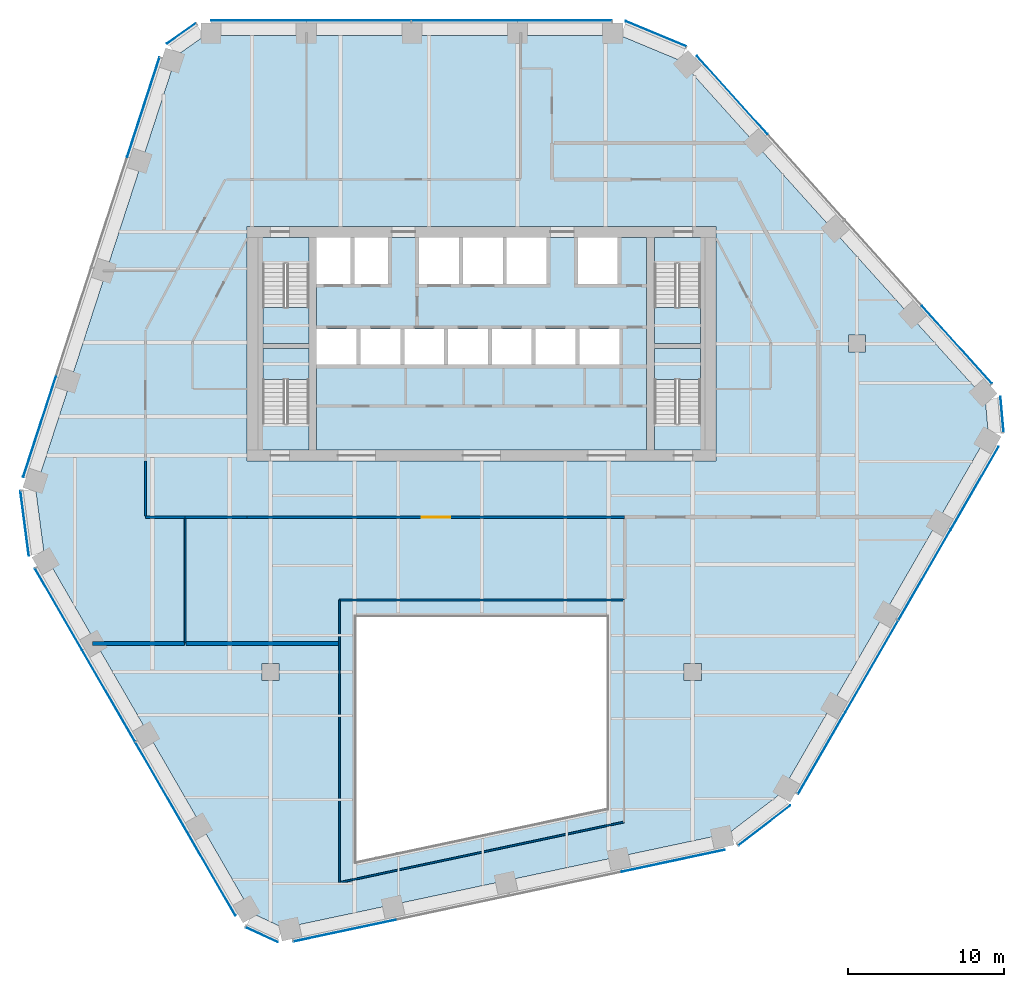
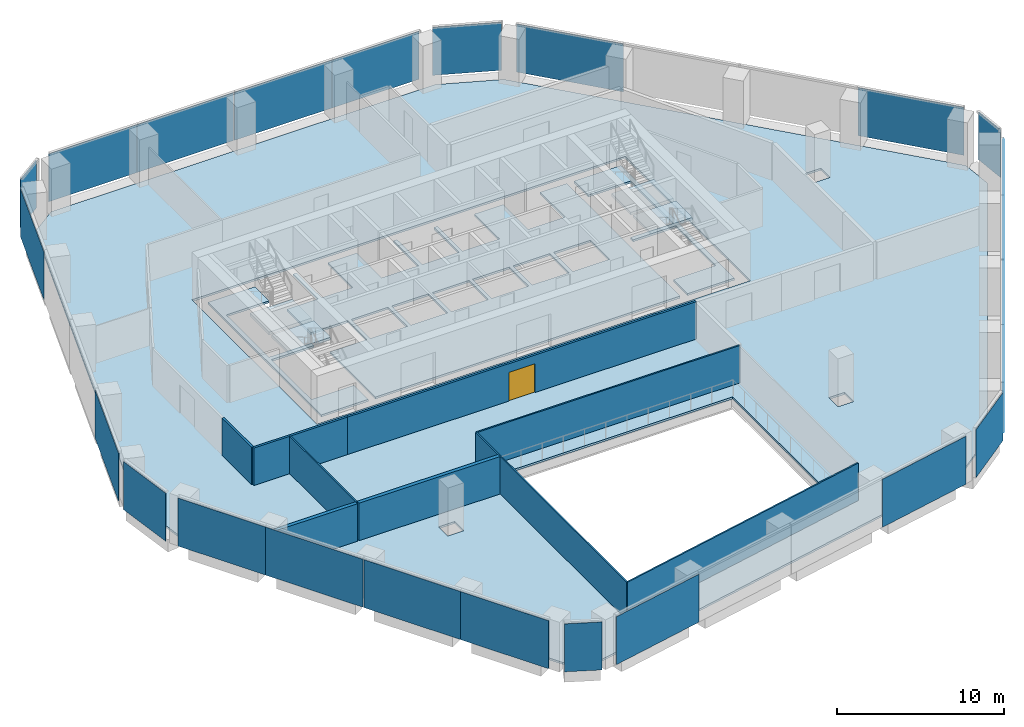
# One storey, part 10 of 16: 24 plates, 10 walls, 8 slabs, 1 door, 1 opening, 16 elements without a shape of their own.
"""IFC4 building model written with IfcOpenShell, lengths in metres."""

from ifc_helpers import new_model, si_unit, direction, frame, frame_2d, origin, origin_2d, place, context, subcontext, project, spatial, polyline, rectangle, outline, extrude, material, layer, layer_set, type_object, element, fill, aggregate, save


model = new_model("IFC4")

# Units and contexts
model_context = context("Model", 3, precision=1e-05, world=origin(), true_north=direction((0.0, 1.0)))
body_context = subcontext(model_context, "Body", "Model", "MODEL_VIEW")
ifc_project = project(units=[si_unit("LENGTHUNIT", "METRE"), si_unit("AREAUNIT", "SQUARE_METRE"), si_unit("VOLUMEUNIT", "CUBIC_METRE"), si_unit("PLANEANGLEUNIT", "RADIAN"), si_unit("MASSUNIT", "GRAM", prefix="KILO")], contexts=[model_context])

# Site, building, storey
site_placement = place(None, origin())
site = spatial("IfcSite", under=ifc_project, at=site_placement, CompositionType="ELEMENT")
building_placement = place(site_placement, origin())
building = spatial("IfcBuilding", under=site, at=building_placement, Name="Isthmus Gate Tower", CompositionType="ELEMENT")
storey_placement = place(building_placement, frame((0.0, 0.0, 178.10009765625)))
storey = spatial("IfcBuildingStorey", under=building, at=storey_placement, Name="L44", CompositionType="ELEMENT", Elevation=178.10009765625)

# Slabs
ifc_material_1 = material(Name="Concrete f'c 40 MPa", Category="concrete")
ifc_layer_1 = layer(ifc_material_1, 0.14990234375)
ifc_layer_set_1 = layer_set([ifc_layer_1], Name="COMPOSITE FLOOR SLAB 150")
slab_type_1 = type_object("IfcSlabType", Name="COMPOSITE FLOOR SLAB 150", PredefinedType="FLOOR", material=ifc_layer_set_1)
slab_1_placement = place(storey_placement, frame((0.0, 0.0, -0.150146484375)))
element("IfcSlab", 1, at=slab_1_placement, inside=storey, type_object=slab_type_1, Name="str-slab-L44-1", PredefinedType="FLOOR", context=body_context, shape_type="SweptSolid", body=[
    extrude(outline(polyline([(12.72802734375, 25.599365234375), (32.21044921875, 3.9619140625), (32.410400390625, 1.736083984375), (19.116455078125, -21.289306640625), (15.8056640625, -23.822509765625), (-12.674072265625, -29.876220703125), (-14.701416015625, -28.936279296875), (-27.995361328125, -5.91064453125), (-28.53369140625, -1.77685546875), (-19.536376953125, 25.9140625), (-17.708740234375, 27.199951171875), (8.87890625, 27.199951171875), (12.72802734375, 25.599365234375)]), holes=[polyline([(-8.0, -10.0), (-8.0, -25.611083984375), (8.0, -22.210205078125), (8.0, -10.0), (-8.0, -10.0)]), polyline([(-14.050048828125, -12.949951171875), (-14.050048828125, -14.050048828125), (-12.949951171875, -14.050048828125), (-12.949951171875, -12.949951171875), (-14.050048828125, -12.949951171875)]), polyline([(14.050048828125, -12.949951171875), (12.949951171875, -12.949951171875), (12.949951171875, -14.050048828125), (14.050048828125, -14.050048828125), (14.050048828125, -12.949951171875)]), polyline([(-15.0, 15.0), (-15.0, 0.0), (15.0, 0.0), (15.0, 15.0), (-15.0, 15.0)]), polyline([(24.550048828125, 6.949951171875), (24.550048828125, 8.050048828125), (23.449951171875, 8.050048828125), (23.449951171875, 6.949951171875), (24.550048828125, 6.949951171875)])]), origin(), (0.0, 0.0, 1.0), 0.150146484375),
])
ifc_material_2 = material(Name="Concrete f'c 40 MPa", Category="concrete")
ifc_layer_2 = layer(ifc_material_2, 0.14990234375)
ifc_layer_set_2 = layer_set([ifc_layer_2], Name="CORE FLOOR SLAB 150")
slab_type_2 = type_object("IfcSlabType", Name="CORE FLOOR SLAB 150", PredefinedType="FLOOR", material=ifc_layer_set_2)
slab_2_placement = place(storey_placement, frame((0.0, 0.0, -0.150146484375)))
element("IfcSlab", 2, at=slab_2_placement, inside=storey, type_object=slab_type_2, Name="L44 core floor", PredefinedType="FLOOR", context=body_context, shape_type="SweptSolid", body=[
    extrude(outline(polyline([(-11.050048828125, 0.699951171875), (-11.050048828125, 2.402099609375), (-14.0, 2.402099609375), (-14.0, 7.199951171875), (-11.050048828125, 7.199951171875), (-11.050048828125, 7.5), (-14.0, 7.5), (-14.0, 12.597900390625), (-11.050048828125, 12.597900390625), (-11.050048828125, 14.300048828125), (-14.300048828125, 14.300048828125), (-14.300048828125, 0.699951171875), (-11.050048828125, 0.699951171875)])), origin(), (0.0, 0.0, 1.0), 0.150146484375),
])
slab_3_placement = place(storey_placement, frame((0.0, 0.0, -0.150146484375)))
element("IfcSlab", 3, at=slab_3_placement, inside=storey, type_object=slab_type_2, Name="L44 core floor", PredefinedType="FLOOR", context=body_context, shape_type="SweptSolid", body=[
    extrude(outline(polyline([(10.550048828125, 14.300048828125), (8.699951171875, 14.300048828125), (8.699951171875, 11.300048828125), (6.14990234375, 11.300048828125), (6.14990234375, 14.300048828125), (4.14990234375, 14.300048828125), (4.14990234375, 11.300048828125), (1.60009765625, 11.300048828125), (1.60009765625, 14.300048828125), (1.35009765625, 14.300048828125), (1.35009765625, 11.300048828125), (-1.199951171875, 11.300048828125), (-1.199951171875, 14.300048828125), (-1.449951171875, 14.300048828125), (-1.449951171875, 11.300048828125), (-4.0, 11.300048828125), (-4.0, 14.300048828125), (-6.0, 14.300048828125), (-6.0, 11.300048828125), (-8.14990234375, 11.300048828125), (-8.14990234375, 14.300048828125), (-8.39990234375, 14.300048828125), (-8.39990234375, 11.300048828125), (-10.550048828125, 11.300048828125), (-10.550048828125, 8.449951171875), (-8.0, 8.449951171875), (-8.0, 6.14990234375), (-10.550048828125, 6.14990234375), (-10.550048828125, 0.699951171875), (10.550048828125, 0.699951171875), (10.550048828125, 14.300048828125)]), holes=[polyline([(-5.199951171875, 8.449951171875), (-5.199951171875, 6.14990234375), (-7.75, 6.14990234375), (-7.75, 8.449951171875), (-5.199951171875, 8.449951171875)]), polyline([(-2.39990234375, 8.449951171875), (-2.39990234375, 6.14990234375), (-4.949951171875, 6.14990234375), (-4.949951171875, 8.449951171875), (-2.39990234375, 8.449951171875)]), polyline([(0.39990234375, 8.449951171875), (0.39990234375, 6.14990234375), (-2.14990234375, 6.14990234375), (-2.14990234375, 8.449951171875), (0.39990234375, 8.449951171875)]), polyline([(3.199951171875, 8.449951171875), (3.199951171875, 6.14990234375), (0.64990234375, 6.14990234375), (0.64990234375, 8.449951171875), (3.199951171875, 8.449951171875)]), polyline([(6.0, 8.449951171875), (6.0, 6.14990234375), (3.449951171875, 6.14990234375), (3.449951171875, 8.449951171875), (6.0, 8.449951171875)]), polyline([(8.800048828125, 8.449951171875), (8.800048828125, 6.14990234375), (6.25, 6.14990234375), (6.25, 8.449951171875), (8.800048828125, 8.449951171875)])]), origin(), (0.0, 0.0, 1.0), 0.150146484375),
])
slab_4_placement = place(storey_placement, frame((0.0, 0.0, -0.150146484375)))
element("IfcSlab", 4, at=slab_4_placement, inside=storey, type_object=slab_type_2, Name="L44 core floor", PredefinedType="FLOOR", context=body_context, shape_type="SweptSolid", body=[
    extrude(outline(polyline([(11.050048828125, 14.300048828125), (11.050048828125, 12.597900390625), (14.0, 12.597900390625), (14.0, 7.5), (11.050048828125, 7.5), (11.050048828125, 7.199951171875), (14.0, 7.199951171875), (14.0, 2.402099609375), (11.050048828125, 2.402099609375), (11.050048828125, 0.699951171875), (14.300048828125, 0.699951171875), (14.300048828125, 14.300048828125), (11.050048828125, 14.300048828125)])), origin(), (0.0, 0.0, 1.0), 0.150146484375),
])

# Curtain wall, plates
ifc_material_3 = material(Name="Aluminium, pale champagne anodised", Category="aluminium")
ifc_layer_3 = layer(ifc_material_3, 0.199951171875)
ifc_layer_set_3 = layer_set([ifc_layer_3], Name="CW-1 UNITISED CURTAIN WALL 200 DEEP")
curtain_wall_type = type_object("IfcCurtainWallType", Name="CW-1 UNITISED CURTAIN WALL 200 DEEP", PredefinedType="NOTDEFINED", material=ifc_layer_set_3)
curtain_wall_1_placement = place(storey_placement, origin())
curtain_wall_1 = element("IfcCurtainWall", 5, at=curtain_wall_1_placement, inside=storey, type_object=curtain_wall_type, Name="CW-1 N L44", PredefinedType="NOTDEFINED")
ifc_material_4 = material(Name="Laminated low-iron glass, pale blue tint", Category="glass")
ifc_layer_4 = layer(ifc_material_4, 0.035888671875)
ifc_layer_set_4 = layer_set([ifc_layer_4], Name="CW-1 CLEAR GLASS LITE 36")
plate_type = type_object("IfcPlateType", Name="CW-1 CLEAR GLASS LITE 36", PredefinedType="CURTAIN_PANEL", material=ifc_layer_set_4)
plate_1_placement = place(storey_placement, frame((5.30859375, 28.181884765625, 0.0), z_axis=(0.0, 0.0, 1.0), x_axis=(-1.0, 0.0, 0.0)))
plate_1 = element("IfcPlate", 6, at=plate_1_placement, type_object=plate_type, Name="CW-1 glass lite", PredefinedType="CURTAIN_PANEL", context=body_context, shape_type="SweptSolid", body=[
    extrude(rectangle(XDim=6.0400390625, YDim=0.035888671875, at=origin_2d()), origin(), (0.0, 0.0, 1.0), 3.510009765625),
])
plate_2_placement = place(storey_placement, frame((-1.086669921875, 28.181884765625, 0.0), z_axis=(0.0, 0.0, 1.0), x_axis=(-1.0, 0.0, 0.0)))
plate_2 = element("IfcPlate", 7, at=plate_2_placement, type_object=plate_type, Name="CW-1 glass lite", PredefinedType="CURTAIN_PANEL", context=body_context, shape_type="SweptSolid", body=[
    extrude(rectangle(XDim=6.750244140625, YDim=0.035888671875, at=origin_2d()), origin(), (0.0, 0.0, 1.0), 3.510009765625),
])
plate_3_placement = place(storey_placement, frame((-7.86669921875, 28.181884765625, 0.0), z_axis=(0.0, 0.0, 1.0), x_axis=(-1.0, 0.0, 0.0)))
plate_3 = element("IfcPlate", 8, at=plate_3_placement, type_object=plate_type, Name="CW-1 glass lite", PredefinedType="CURTAIN_PANEL", context=body_context, shape_type="SweptSolid", body=[
    extrude(rectangle(XDim=6.690185546875, YDim=0.035888671875, at=origin_2d()), origin(), (0.0, 0.0, 1.0), 3.510009765625),
])
plate_4_placement = place(storey_placement, frame((-14.261962890625, 28.181884765625, 0.0), z_axis=(0.0, 0.0, 1.0), x_axis=(-1.0, 0.0, 0.0)))
plate_4 = element("IfcPlate", 9, at=plate_4_placement, type_object=plate_type, Name="CW-1 glass lite", PredefinedType="CURTAIN_PANEL", context=body_context, shape_type="SweptSolid", body=[
    extrude(rectangle(XDim=6.10009765625, YDim=0.035888671875, at=origin_2d()), origin(), (0.0, 0.0, 1.0), 3.510009765625),
])
aggregate(curtain_wall_1, [plate_1, plate_2, plate_3, plate_4])

# Curtain wall, plate
curtain_wall_2_placement = place(storey_placement, origin())
curtain_wall_2 = element("IfcCurtainWall", 10, at=curtain_wall_2_placement, inside=storey, type_object=curtain_wall_type, Name="CW-1 N-NW L44", PredefinedType="NOTDEFINED")
plate_5_placement = place(storey_placement, frame((-19.2119140625, 27.343017578125, 0.0), z_axis=(0.0, 0.0, 1.0), x_axis=(-0.81785959165, -0.57541783805, 0.0)))
plate_5 = element("IfcPlate", 11, at=plate_5_placement, type_object=plate_type, Name="CW-1 glass lite", PredefinedType="CURTAIN_PANEL", context=body_context, shape_type="SweptSolid", body=[
    extrude(rectangle(XDim=2.258544921875, YDim=0.035888671875, at=origin_2d()), origin(), (0.0, 0.0, 1.0), 3.510009765625),
])
aggregate(curtain_wall_2, [plate_5])

# Curtain wall, plates
curtain_wall_3_placement = place(storey_placement, origin())
curtain_wall_3 = element("IfcCurtainWall", 12, at=curtain_wall_3_placement, inside=storey, type_object=curtain_wall_type, Name="CW-1 NW L44", PredefinedType="NOTDEFINED")
plate_6_placement = place(storey_placement, frame((-21.6396484375, 22.619140625, 0.0), z_axis=(0.0, 0.0, 1.0), x_axis=(-0.309016994375, -0.951056516295, 0.0)))
plate_6 = element("IfcPlate", 13, at=plate_6_placement, type_object=plate_type, Name="CW-1 glass lite", PredefinedType="CURTAIN_PANEL", context=body_context, shape_type="SweptSolid", body=[
    extrude(rectangle(XDim=6.680908203125, YDim=0.035888671875, at=origin_2d()), origin(), (0.0, 0.0, 1.0), 3.510009765625),
])
plate_7_placement = place(storey_placement, frame((-28.281005859375, 2.178466796875, 0.0), z_axis=(0.0, 0.0, 1.0), x_axis=(-0.309016994375, -0.951056516295, 0.0)))
plate_7 = element("IfcPlate", 14, at=plate_7_placement, type_object=plate_type, Name="CW-1 glass lite", PredefinedType="CURTAIN_PANEL", context=body_context, shape_type="SweptSolid", body=[
    extrude(rectangle(XDim=6.74072265625, YDim=0.035888671875, at=origin_2d()), origin(), (0.0, 0.0, 1.0), 3.510009765625),
])
aggregate(curtain_wall_3, [plate_6, plate_7])

# Curtain wall, plate
curtain_wall_4_placement = place(storey_placement, origin())
curtain_wall_4 = element("IfcCurtainWall", 15, at=curtain_wall_4_placement, inside=storey, type_object=curtain_wall_type, Name="CW-1 NW-SW L44", PredefinedType="NOTDEFINED")
plate_8_placement = place(storey_placement, frame((-29.234619140625, -3.9990234375, 0.0), z_axis=(0.0, 0.0, 1.0), x_axis=(0.129164534, -0.991623175988, 0.0)))
plate_8 = element("IfcPlate", 16, at=plate_8_placement, type_object=plate_type, Name="CW-1 glass lite", PredefinedType="CURTAIN_PANEL", context=body_context, shape_type="SweptSolid", body=[
    extrude(rectangle(XDim=4.181396484375, YDim=0.035888671875, at=origin_2d()), origin(), (0.0, 0.0, 1.0), 3.510009765625),
])
aggregate(curtain_wall_4, [plate_8])

# Curtain wall, plates
curtain_wall_5_placement = place(storey_placement, origin())
curtain_wall_5 = element("IfcCurtainWall", 17, at=curtain_wall_5_placement, inside=storey, type_object=curtain_wall_type, Name="CW-1 SW L44", PredefinedType="NOTDEFINED")
plate_9_placement = place(storey_placement, frame((-27.060546875, -9.49365234375, 0.0), z_axis=(0.0, 0.0, 1.0), x_axis=(0.5, -0.866025403784, 0.0)))
plate_9 = element("IfcPlate", 18, at=plate_9_placement, type_object=plate_type, Name="CW-1 glass lite", PredefinedType="CURTAIN_PANEL", context=body_context, shape_type="SweptSolid", body=[
    extrude(rectangle(XDim=6.0400390625, YDim=0.035888671875, at=origin_2d()), origin(), (0.0, 0.0, 1.0), 3.510009765625),
])
plate_10_placement = place(storey_placement, frame((-23.863037109375, -15.031982421875, 0.0), z_axis=(0.0, 0.0, 1.0), x_axis=(0.5, -0.866025403784, 0.0)))
plate_10 = element("IfcPlate", 19, at=plate_10_placement, type_object=plate_type, Name="CW-1 glass lite", PredefinedType="CURTAIN_PANEL", context=body_context, shape_type="SweptSolid", body=[
    extrude(rectangle(XDim=6.750244140625, YDim=0.035888671875, at=origin_2d()), origin(), (0.0, 0.0, 1.0), 3.510009765625),
])
plate_11_placement = place(storey_placement, frame((-20.472900390625, -20.90380859375, 0.0), z_axis=(0.0, 0.0, 1.0), x_axis=(0.5, -0.866025403784, 0.0)))
plate_11 = element("IfcPlate", 20, at=plate_11_placement, type_object=plate_type, Name="CW-1 glass lite", PredefinedType="CURTAIN_PANEL", context=body_context, shape_type="SweptSolid", body=[
    extrude(rectangle(XDim=6.690185546875, YDim=0.035888671875, at=origin_2d()), origin(), (0.0, 0.0, 1.0), 3.510009765625),
])
plate_12_placement = place(storey_placement, frame((-17.275390625, -26.442138671875, 0.0), z_axis=(0.0, 0.0, 1.0), x_axis=(0.5, -0.866025403784, 0.0)))
plate_12 = element("IfcPlate", 21, at=plate_12_placement, type_object=plate_type, Name="CW-1 glass lite", PredefinedType="CURTAIN_PANEL", context=body_context, shape_type="SweptSolid", body=[
    extrude(rectangle(XDim=6.10009765625, YDim=0.035888671875, at=origin_2d()), origin(), (0.0, 0.0, 1.0), 3.510009765625),
])
aggregate(curtain_wall_5, [plate_9, plate_10, plate_11, plate_12])

# Curtain wall, plate
curtain_wall_6_placement = place(storey_placement, origin())
curtain_wall_6 = element("IfcCurtainWall", 22, at=curtain_wall_6_placement, inside=storey, type_object=curtain_wall_type, Name="CW-1 SW-S L44", PredefinedType="NOTDEFINED")
plate_13_placement = place(storey_placement, frame((-14.07373046875, -30.3095703125, 0.0), z_axis=(0.0, 0.0, 1.0), x_axis=(0.907256261367, -0.420578264073, 0.0)))
plate_13 = element("IfcPlate", 23, at=plate_13_placement, type_object=plate_type, Name="CW-1 glass lite", PredefinedType="CURTAIN_PANEL", context=body_context, shape_type="SweptSolid", body=[
    extrude(rectangle(XDim=2.258544921875, YDim=0.035888671875, at=origin_2d()), origin(), (0.0, 0.0, 1.0), 3.510009765625),
])
aggregate(curtain_wall_6, [plate_13])

# Curtain wall, plates
curtain_wall_7_placement = place(storey_placement, origin())
curtain_wall_7 = element("IfcCurtainWall", 24, at=curtain_wall_7_placement, inside=storey, type_object=curtain_wall_type, Name="CW-1 S L44", PredefinedType="NOTDEFINED")
plate_14_placement = place(storey_placement, frame((-8.768798828125, -30.050048828125, 0.0), z_axis=(0.0, 0.0, 1.0), x_axis=(0.978147600734, 0.207911690818, 0.0)))
plate_14 = element("IfcPlate", 25, at=plate_14_placement, type_object=plate_type, Name="CW-1 glass lite", PredefinedType="CURTAIN_PANEL", context=body_context, shape_type="SweptSolid", body=[
    extrude(rectangle(XDim=6.680908203125, YDim=0.035888671875, at=origin_2d()), origin(), (0.0, 0.0, 1.0), 3.510009765625),
])
plate_15_placement = place(storey_placement, frame((12.25390625, -25.58154296875, 0.0), z_axis=(0.0, 0.0, 1.0), x_axis=(0.978147600734, 0.207911690818, 0.0)))
plate_15 = element("IfcPlate", 26, at=plate_15_placement, type_object=plate_type, Name="CW-1 glass lite", PredefinedType="CURTAIN_PANEL", context=body_context, shape_type="SweptSolid", body=[
    extrude(rectangle(XDim=6.74072265625, YDim=0.035888671875, at=origin_2d()), origin(), (0.0, 0.0, 1.0), 3.510009765625),
])
aggregate(curtain_wall_7, [plate_14, plate_15])

# Curtain wall, plate
curtain_wall_8_placement = place(storey_placement, origin())
curtain_wall_8 = element("IfcCurtainWall", 27, at=curtain_wall_8_placement, inside=storey, type_object=curtain_wall_type, Name="CW-1 S-SE L44", PredefinedType="NOTDEFINED")
plate_16_placement = place(storey_placement, frame((18.08056640625, -23.318359375, 0.0), z_axis=(0.0, 0.0, 1.0), x_axis=(0.794188594387, 0.607671355706, 0.0)))
plate_16 = element("IfcPlate", 28, at=plate_16_placement, type_object=plate_type, Name="CW-1 glass lite", PredefinedType="CURTAIN_PANEL", context=body_context, shape_type="SweptSolid", body=[
    extrude(rectangle(XDim=4.181396484375, YDim=0.035888671875, at=origin_2d()), origin(), (0.0, 0.0, 1.0), 3.510009765625),
])
aggregate(curtain_wall_8, [plate_16])

# Curtain wall, plates
curtain_wall_9_placement = place(storey_placement, origin())
curtain_wall_9 = element("IfcCurtainWall", 29, at=curtain_wall_9_placement, inside=storey, type_object=curtain_wall_type, Name="CW-1 SE L44", PredefinedType="NOTDEFINED")
plate_17_placement = place(storey_placement, frame((21.752197265625, -18.688232421875, 0.0), z_axis=(0.0, 0.0, 1.0), x_axis=(0.5, 0.866025403784, 0.0)))
plate_17 = element("IfcPlate", 30, at=plate_17_placement, type_object=plate_type, Name="CW-1 glass lite", PredefinedType="CURTAIN_PANEL", context=body_context, shape_type="SweptSolid", body=[
    extrude(rectangle(XDim=6.0400390625, YDim=0.035888671875, at=origin_2d()), origin(), (0.0, 0.0, 1.0), 3.510009765625),
])
plate_18_placement = place(storey_placement, frame((24.94970703125, -13.14990234375, 0.0), z_axis=(0.0, 0.0, 1.0), x_axis=(0.5, 0.866025403784, 0.0)))
plate_18 = element("IfcPlate", 31, at=plate_18_placement, type_object=plate_type, Name="CW-1 glass lite", PredefinedType="CURTAIN_PANEL", context=body_context, shape_type="SweptSolid", body=[
    extrude(rectangle(XDim=6.750244140625, YDim=0.035888671875, at=origin_2d()), origin(), (0.0, 0.0, 1.0), 3.510009765625),
])
plate_19_placement = place(storey_placement, frame((28.339599609375, -7.278076171875, 0.0), z_axis=(0.0, 0.0, 1.0), x_axis=(0.5, 0.866025403784, 0.0)))
plate_19 = element("IfcPlate", 32, at=plate_19_placement, type_object=plate_type, Name="CW-1 glass lite", PredefinedType="CURTAIN_PANEL", context=body_context, shape_type="SweptSolid", body=[
    extrude(rectangle(XDim=6.690185546875, YDim=0.035888671875, at=origin_2d()), origin(), (0.0, 0.0, 1.0), 3.510009765625),
])
plate_20_placement = place(storey_placement, frame((31.537353515625, -1.73974609375, 0.0), z_axis=(0.0, 0.0, 1.0), x_axis=(0.5, 0.866025403784, 0.0)))
plate_20 = element("IfcPlate", 33, at=plate_20_placement, type_object=plate_type, Name="CW-1 glass lite", PredefinedType="CURTAIN_PANEL", context=body_context, shape_type="SweptSolid", body=[
    extrude(rectangle(XDim=6.10009765625, YDim=0.035888671875, at=origin_2d()), origin(), (0.0, 0.0, 1.0), 3.510009765625),
])
aggregate(curtain_wall_9, [plate_17, plate_18, plate_19, plate_20])

# Curtain wall, plate
curtain_wall_10_placement = place(storey_placement, origin())
curtain_wall_10 = element("IfcCurtainWall", 34, at=curtain_wall_10_placement, inside=storey, type_object=curtain_wall_type, Name="CW-1 SE-NE L44", PredefinedType="NOTDEFINED")
plate_21_placement = place(storey_placement, frame((33.285888671875, 2.966552734375, 0.0), z_axis=(0.0, 0.0, 1.0), x_axis=(-0.089396669717, 0.995996102123, 0.0)))
plate_21 = element("IfcPlate", 35, at=plate_21_placement, type_object=plate_type, Name="CW-1 glass lite", PredefinedType="CURTAIN_PANEL", context=body_context, shape_type="SweptSolid", body=[
    extrude(rectangle(XDim=2.258544921875, YDim=0.035888671875, at=origin_2d()), origin(), (0.0, 0.0, 1.0), 3.510009765625),
])
aggregate(curtain_wall_10, [plate_21])

# Curtain wall, plates
curtain_wall_11_placement = place(storey_placement, origin())
curtain_wall_11 = element("IfcCurtainWall", 36, at=curtain_wall_11_placement, inside=storey, type_object=curtain_wall_type, Name="CW-1 NE L44", PredefinedType="NOTDEFINED")
plate_22_placement = place(storey_placement, frame((30.408447265625, 7.430908203125, 0.0), z_axis=(0.0, 0.0, 1.0), x_axis=(-0.669130606359, 0.743144825477, 0.0)))
plate_22 = element("IfcPlate", 37, at=plate_22_placement, type_object=plate_type, Name="CW-1 glass lite", PredefinedType="CURTAIN_PANEL", context=body_context, shape_type="SweptSolid", body=[
    extrude(rectangle(XDim=6.680908203125, YDim=0.035888671875, at=origin_2d()), origin(), (0.0, 0.0, 1.0), 3.510009765625),
])
plate_23_placement = place(storey_placement, frame((16.02734375, 23.40283203125, 0.0), z_axis=(0.0, 0.0, 1.0), x_axis=(-0.669130606359, 0.743144825477, 0.0)))
plate_23 = element("IfcPlate", 38, at=plate_23_placement, type_object=plate_type, Name="CW-1 glass lite", PredefinedType="CURTAIN_PANEL", context=body_context, shape_type="SweptSolid", body=[
    extrude(rectangle(XDim=6.74072265625, YDim=0.035888671875, at=origin_2d()), origin(), (0.0, 0.0, 1.0), 3.510009765625),
])
aggregate(curtain_wall_11, [plate_22, plate_23])

# Curtain wall, plate
curtain_wall_12_placement = place(storey_placement, origin())
curtain_wall_12 = element("IfcCurtainWall", 39, at=curtain_wall_12_placement, inside=storey, type_object=curtain_wall_type, Name="CW-1 NE-N L44", PredefinedType="NOTDEFINED")
plate_24_placement = place(storey_placement, frame((11.154052734375, 27.3173828125, 0.0), z_axis=(0.0, 0.0, 1.0), x_axis=(-0.923353128387, 0.383951820282, 0.0)))
plate_24 = element("IfcPlate", 40, at=plate_24_placement, type_object=plate_type, Name="CW-1 glass lite", PredefinedType="CURTAIN_PANEL", context=body_context, shape_type="SweptSolid", body=[
    extrude(rectangle(XDim=4.181396484375, YDim=0.035888671875, at=origin_2d()), origin(), (0.0, 0.0, 1.0), 3.510009765625),
])
aggregate(curtain_wall_12, [plate_24])

# Stair, slab
ifc_material_5 = material(Name="Concrete f'c 40 MPa", Category="concrete")
stair_type = type_object("IfcStairType", Name="CORE STAIR 22 RISERS", PredefinedType="HALF_TURN_STAIR", material=ifc_material_5)
stair_1_placement = place(storey_placement, origin())
stair_1 = element("IfcStair", 41, at=stair_1_placement, inside=storey, type_object=stair_type, Name="L44 Exit Stair 1", PredefinedType="HALF_TURN_STAIR")
ifc_material_6 = material(Name="Concrete f'c 40 MPa", Category="concrete")
ifc_layer_5 = layer(ifc_material_6, 0.199951171875)
ifc_layer_set_5 = layer_set([ifc_layer_5])
slab_type_3 = type_object("IfcSlabType", Name="STAIR LANDING RC 200", PredefinedType="LANDING", material=ifc_layer_set_5)
slab_5_placement = place(storey_placement, frame((0.0, 0.0, 1.625)))
slab_5 = element("IfcSlab", 42, at=slab_5_placement, type_object=slab_type_3, Name="ST1 landing 1", PredefinedType="LANDING", context=body_context, shape_type="SweptSolid", body=[
    extrude(outline(polyline([(-14.0, 9.800048828125), (-14.0, 7.5), (-11.050048828125, 7.5), (-11.050048828125, 9.800048828125), (-14.0, 9.800048828125)])), origin(), (0.0, 0.0, 1.0), 0.199951171875),
])
aggregate(stair_1, [slab_5])

stair_2_placement = place(storey_placement, origin())
stair_2 = element("IfcStair", 43, at=stair_2_placement, inside=storey, type_object=stair_type, Name="L44 Exit Stair 2", PredefinedType="HALF_TURN_STAIR")
slab_6_placement = place(storey_placement, frame((0.0, 0.0, 1.625)))
slab_6 = element("IfcSlab", 44, at=slab_6_placement, type_object=slab_type_3, Name="ST2 landing 1", PredefinedType="LANDING", context=body_context, shape_type="SweptSolid", body=[
    extrude(outline(polyline([(11.050048828125, 9.800048828125), (11.050048828125, 7.5), (14.0, 7.5), (14.0, 9.800048828125), (11.050048828125, 9.800048828125)])), origin(), (0.0, 0.0, 1.0), 0.199951171875),
])
aggregate(stair_2, [slab_6])

stair_3_placement = place(storey_placement, origin())
stair_3 = element("IfcStair", 45, at=stair_3_placement, inside=storey, type_object=stair_type, Name="L44 Exit Stair 7", PredefinedType="HALF_TURN_STAIR")
slab_7_placement = place(storey_placement, frame((0.0, 0.0, 1.625)))
slab_7 = element("IfcSlab", 46, at=slab_7_placement, type_object=slab_type_3, Name="ST7 landing 1", PredefinedType="LANDING", context=body_context, shape_type="SweptSolid", body=[
    extrude(outline(polyline([(-11.050048828125, 5.199951171875), (-11.050048828125, 7.199951171875), (-14.0, 7.199951171875), (-14.0, 5.199951171875), (-11.050048828125, 5.199951171875)])), origin(), (0.0, 0.0, 1.0), 0.199951171875),
])
aggregate(stair_3, [slab_7])

stair_4_placement = place(storey_placement, origin())
stair_4 = element("IfcStair", 47, at=stair_4_placement, inside=storey, type_object=stair_type, Name="L44 Exit Stair 8", PredefinedType="HALF_TURN_STAIR")
slab_8_placement = place(storey_placement, frame((0.0, 0.0, 1.625)))
slab_8 = element("IfcSlab", 48, at=slab_8_placement, type_object=slab_type_3, Name="ST8 landing 1", PredefinedType="LANDING", context=body_context, shape_type="SweptSolid", body=[
    extrude(outline(polyline([(14.0, 5.199951171875), (14.0, 7.199951171875), (11.050048828125, 7.199951171875), (11.050048828125, 5.199951171875), (14.0, 5.199951171875)])), origin(), (0.0, 0.0, 1.0), 0.199951171875),
])
aggregate(stair_4, [slab_8])

# Walls
ifc_material_7 = material(Name="Double-leaf acoustic stud wall, fire-rated", Category="gypsum")
ifc_layer_6 = layer(ifc_material_7, 0.25)
ifc_layer_set_6 = layer_set([ifc_layer_6], Name="ACOUSTIC WALL 250 60 MIN")
wall_type_1 = type_object("IfcWallType", Name="ACOUSTIC WALL 250 60 MIN", PredefinedType="PARTITIONING", material=ifc_layer_set_6)
wall_1_placement = place(storey_placement, frame((-24.887939453125, -11.693115234375, 0.0), z_axis=(0.0, 0.0, 1.0), x_axis=(1.0, 0.0, 0.0)))
element("IfcWall", 49, at=wall_1_placement, inside=storey, type_object=wall_type_1, Name="L44 Acoustic Wall 250 60 Min", PredefinedType="PARTITIONING", context=body_context, shape_type="SweptSolid", body=[
    extrude(rectangle(XDim=5.873046875, YDim=0.25, at=frame_2d((2.9365234375, 0.0))), origin(), (0.0, 0.0, 1.0), 2.7412109375),
])
wall_2_placement = place(storey_placement, frame((-18.9150390625, -11.693115234375, 0.0), z_axis=(0.0, 0.0, 1.0), x_axis=(1.0, 0.0, 0.0)))
element("IfcWall", 50, at=wall_2_placement, inside=storey, type_object=wall_type_1, Name="L44 Acoustic Wall 250 60 Min", PredefinedType="PARTITIONING", context=body_context, shape_type="SweptSolid", body=[
    extrude(rectangle(XDim=9.76513671875, YDim=0.25, at=frame_2d((4.882568359375, 0.0))), origin(), (0.0, 0.0, 1.0), 2.7412109375),
])
ifc_material_8 = material(Name="Fire-rated laminated glass in steel frame", Category="steel")
ifc_layer_7 = layer(ifc_material_8, 0.10009765625)
ifc_layer_set_7 = layer_set([ifc_layer_7], Name="ATRIUM SCREEN GLAZED WALL 100 120 MIN")
wall_type_2 = type_object("IfcWallType", Name="ATRIUM SCREEN GLAZED WALL 100 120 MIN", PredefinedType="PARTITIONING", material=ifc_layer_set_7)
wall_3_placement = place(storey_placement, frame((-9.10009765625, -8.89990234375, 0.0), z_axis=(0.0, 0.0, 1.0), x_axis=(1.0, 0.0, 0.0)))
element("IfcWall", 51, at=wall_3_placement, inside=storey, type_object=wall_type_2, Name="L44 atrium screen", PredefinedType="PARTITIONING", context=body_context, shape_type="SweptSolid", body=[
    extrude(rectangle(XDim=18.2001953125, YDim=0.10009765625, at=frame_2d((9.10009765625, 0.0))), origin(), (0.0, 0.0, 1.0), 2.7412109375),
])
wall_4_placement = place(storey_placement, frame((9.10009765625, -23.100830078125, 0.0), z_axis=(0.0, 0.0, 1.0), x_axis=(-0.978146710971, -0.207915876778, 0.0)))
element("IfcWall", 52, at=wall_4_placement, inside=storey, type_object=wall_type_2, Name="L44 atrium screen", PredefinedType="PARTITIONING", context=body_context, shape_type="SweptSolid", body=[
    extrude(rectangle(XDim=18.60693359375, YDim=0.10009765625, at=frame_2d((9.303466796875, 0.0))), origin(), (0.0, 0.0, 1.0), 2.7412109375),
])
wall_5_placement = place(storey_placement, frame((-9.10009765625, -26.969482421875, 0.0), z_axis=(0.0, 0.0, 1.0), x_axis=(0.0, 1.0, 0.0)))
element("IfcWall", 53, at=wall_5_placement, inside=storey, type_object=wall_type_2, Name="L44 atrium screen", PredefinedType="PARTITIONING", context=body_context, shape_type="SweptSolid", body=[
    extrude(rectangle(XDim=18.069580078125, YDim=0.10009765625, at=frame_2d((9.03466796875, 0.0))), origin(), (0.0, 0.0, 1.0), 2.7412109375),
])

# Wall, opening, door
ifc_material_9 = material(Name="Gypsum board on steel studs, fire-rated", Category="steel")
ifc_layer_8 = layer(ifc_material_9, 0.14990234375)
ifc_layer_set_8 = layer_set([ifc_layer_8], Name="CORRIDOR WALL 150 60 MIN")
wall_type_3 = type_object("IfcWallType", Name="CORRIDOR WALL 150 60 MIN", PredefinedType="PARTITIONING", material=ifc_layer_set_8)
wall_6_placement = place(storey_placement, frame((9.14990234375, -3.60009765625, 0.0), z_axis=(0.0, 0.0, 1.0), x_axis=(-1.0, 0.0, 0.0)))
wall_6 = element("IfcWall", 54, at=wall_6_placement, inside=storey, type_object=wall_type_3, Name="L44 Corridor Wall 150 60 Min", PredefinedType="PARTITIONING", context=body_context, shape_type="SweptSolid", body=[
    extrude(rectangle(XDim=24.14990234375, YDim=0.14990234375, at=frame_2d((12.074951171875, 0.0))), origin(), (0.0, 0.0, 1.0), 2.7412109375),
])
opening_placement = place(wall_6_placement, frame((11.175048828125, 0.0, 0.0)))
opening = element("IfcOpeningElement", 55, at=opening_placement, cuts=wall_6, Name="Opening DT-T4A-08", PredefinedType="OPENING", context=body_context, shape_type="SweptSolid", body=[
    extrude(rectangle(XDim=1.800048828125, YDim=2.10009765625, at=frame_2d((0.89990234375, 1.050048828125))), frame((0.0, 0.0849609375, 0.0), z_axis=(0.0, -1.0, 0.0), x_axis=(1.0, 0.0, 0.0)), (0.0, 0.0, 1.0), 0.169921875),
])
ifc_material_10 = material(Name="Solid core timber door leaf, fire-rated", Category="wood")
door_type = type_object("IfcDoorType", Name="FIRE DOOR ROOM 1800 X 2100 60 MIN", OperationType="DOUBLE_DOOR_DOUBLE_SWING", PredefinedType="DOOR", material=ifc_material_10)
door_placement = place(opening_placement, origin())
door = element("IfcDoor", 56, at=door_placement, inside=storey, type_object=door_type, Name="L44 room door", OperationType="DOUBLE_DOOR_DOUBLE_SWING", OverallHeight=2.10009765625, OverallWidth=1.800048828125, PredefinedType="DOOR", context=body_context, shape_type="SweptSolid", body=[
    extrude(rectangle(XDim=1.800048828125, YDim=2.10009765625, at=frame_2d((0.89990234375, 1.050048828125))), frame((0.0, 0.02490234375, 0.0), z_axis=(0.0, -1.0, 0.0), x_axis=(1.0, 0.0, 0.0)), (0.0, 0.0, 1.0), 0.050048828125),
])
fill(opening, door)

# Walls
wall_7_placement = place(storey_placement, frame((-18.965087890625, -3.60009765625, 0.0), z_axis=(0.0, 0.0, 1.0), x_axis=(-1.0, 0.0, 0.0)))
element("IfcWall", 57, at=wall_7_placement, inside=storey, type_object=wall_type_3, Name="L44 Corridor Wall 150 60 Min", PredefinedType="PARTITIONING", context=body_context, shape_type="SweptSolid", body=[
    extrude(rectangle(XDim=2.534912109375, YDim=0.14990234375, at=frame_2d((1.267578125, 0.0))), origin(), (0.0, 0.0, 1.0), 2.7412109375),
])
wall_8_placement = place(storey_placement, frame((-15.0, -3.60009765625, 0.0), z_axis=(0.0, 0.0, 1.0), x_axis=(-1.0, 0.0, 0.0)))
element("IfcWall", 58, at=wall_8_placement, inside=storey, type_object=wall_type_3, Name="L44 Corridor Wall 150 60 Min", PredefinedType="PARTITIONING", context=body_context, shape_type="SweptSolid", body=[
    extrude(rectangle(XDim=3.965087890625, YDim=0.14990234375, at=frame_2d((1.982421875, 0.0))), origin(), (0.0, 0.0, 1.0), 2.7412109375),
])
wall_9_placement = place(storey_placement, frame((-21.5, -3.52490234375, 0.0), z_axis=(0.0, 0.0, 1.0), x_axis=(0.0, 1.0, 0.0)))
element("IfcWall", 59, at=wall_9_placement, inside=storey, type_object=wall_type_3, Name="L44 Corridor Wall 150 60 Min", PredefinedType="PARTITIONING", context=body_context, shape_type="SweptSolid", body=[
    extrude(rectangle(XDim=3.52490234375, YDim=0.14990234375, at=frame_2d((1.762451171875, 0.0))), origin(), (0.0, 0.0, 1.0), 2.7412109375),
])
ifc_material_11 = material(Name="Gypsum board on steel studs, fire-rated", Category="steel")
ifc_layer_9 = layer(ifc_material_11, 0.10009765625)
ifc_layer_set_9 = layer_set([ifc_layer_9], Name="ROOM PARTITION 100 30 MIN")
wall_type_4 = type_object("IfcWallType", Name="ROOM PARTITION 100 30 MIN", PredefinedType="PARTITIONING", material=ifc_layer_set_9)
wall_10_placement = place(storey_placement, frame((-18.965087890625, -11.617919921875, 0.0), z_axis=(0.0, 0.0, 1.0), x_axis=(0.0, 1.0, 0.0)))
element("IfcWall", 60, at=wall_10_placement, inside=storey, type_object=wall_type_4, Name="L44 Room Partition 100 30 Min", PredefinedType="PARTITIONING", context=body_context, shape_type="SweptSolid", body=[
    extrude(rectangle(XDim=7.94287109375, YDim=0.10009765625, at=frame_2d((3.971435546875, 0.0))), origin(), (0.0, 0.0, 1.0), 2.7412109375),
])

save(model, "model.ifc")
